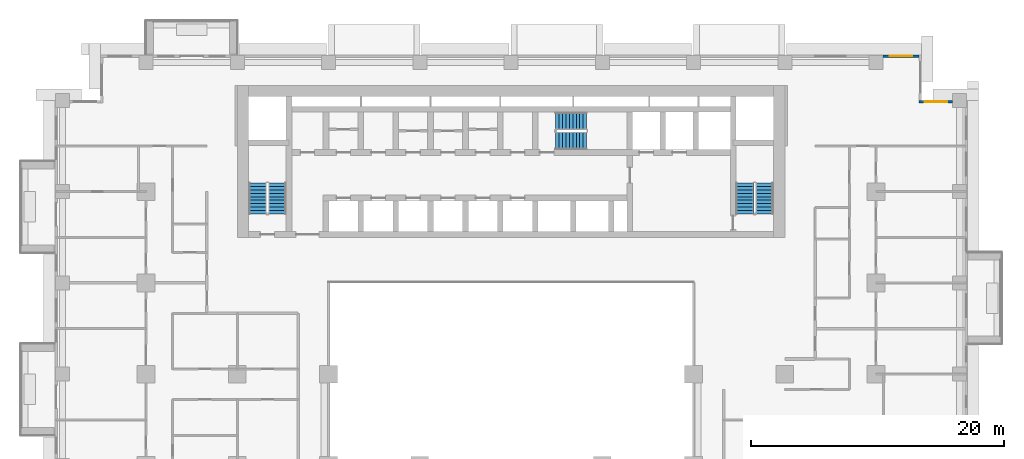
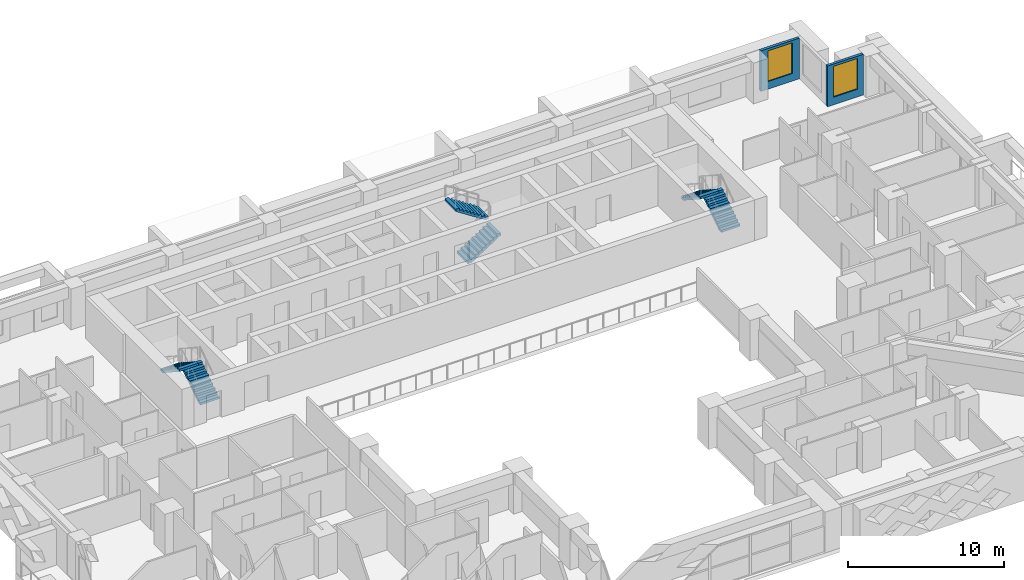
# One storey, part 13 of 17: 6 stair flights, 2 walls, 2 windows, 2 openings, 3 elements without a shape of their own.
"""IFC4 building model written with IfcOpenShell, lengths in metres."""

import ifcopenshell
import ifcopenshell.guid

model = None  # the IFC model being written
_history = None  # IfcOwnerHistory: only IFC2X3 demands one
_inside = {}  # id of a spatial element -> (the spatial element, [elements in it])
_under = {}  # id of a project, library or spatial element -> (it, [spatial elements below it])
_declared = {}  # id of a project -> (the project, [libraries it declares])
_typed = {}  # id of a type object -> (the type object, [elements of that type])
_made_of = {}  # id of a material, layer set ... -> (it, [elements and type objects made of it])


def new_model(schema):
    """Start an empty IFC model of exactly this schema.

    Asked for "IFC4X3", IfcOpenShell would pick the latest addendum, in which some entities
    have other attributes; the version numbers below select the first issue.
    IFC2X3 requires an IfcOwnerHistory on every rooted entity: one is made here for all.
    """
    global model, _history
    if schema == "IFC4X3":
        model = ifcopenshell.file(schema_version=(4, 3, 0, 0))
    else:
        model = ifcopenshell.file(schema=schema)
    _inside.clear()
    _under.clear()
    _declared.clear()
    _typed.clear()
    _made_of.clear()
    _history = None
    if model.schema == "IFC2X3":
        org = make("IfcOrganization", Name="unknown")
        user = make(
            "IfcPersonAndOrganization",
            ThePerson=make("IfcPerson", FamilyName="unknown"),
            TheOrganization=org,
        )
        app = make(
            "IfcApplication",
            ApplicationDeveloper=org,
            Version="unknown",
            ApplicationFullName="unknown",
            ApplicationIdentifier="unknown",
        )
        _history = make(
            "IfcOwnerHistory",
            OwningUser=user,
            OwningApplication=app,
            ChangeAction="ADDED",
            CreationDate=0,
        )
    return model


def make(cls, **values):
    """One entity of the class cls with the attributes given. An attribute that is None is left unset."""
    return model.create_entity(
        cls, **{name: value for name, value in values.items() if value is not None}
    )


def rooted(cls, **values):
    """An entity with a GlobalId (a new one), such as an element, a storey or a relation."""
    return make(cls, GlobalId=ifcopenshell.guid.new(), OwnerHistory=_history, **values)


def si_unit(unit_type, name, prefix=None):
    """IfcSIUnit, for example si_unit("LENGTHUNIT", "METRE", prefix="MILLI")."""
    return make("IfcSIUnit", UnitType=unit_type, Prefix=prefix, Name=name)


def assignment(units):
    """IfcUnitAssignment: the units of a project."""
    return None if units is None else make("IfcUnitAssignment", Units=units)


def point(xyz):
    """IfcCartesianPoint."""
    return None if xyz is None else make("IfcCartesianPoint", Coordinates=xyz)


def direction(xyz):
    """IfcDirection."""
    return None if xyz is None else make("IfcDirection", DirectionRatios=xyz)


def frame(location, z_axis=None, x_axis=None):
    """IfcAxis2Placement3D, a coordinate frame: its origin and axes. An axis left out is left unset."""
    return make(
        "IfcAxis2Placement3D",
        Location=point(location),
        Axis=direction(z_axis),
        RefDirection=direction(x_axis),
    )


def frame_2d(location, x_axis=None):
    """IfcAxis2Placement2D, a coordinate frame in the plane: its origin and x axis."""
    return make(
        "IfcAxis2Placement2D", Location=point(location), RefDirection=direction(x_axis)
    )


def origin():
    """The frame at (0, 0, 0) with its axes left unset."""
    return frame((0.0, 0.0, 0.0))


def place(relative_to, where):
    """IfcLocalPlacement: puts the frame where relative to a parent placement (None: the world)."""
    return make(
        "IfcLocalPlacement", PlacementRelTo=relative_to, RelativePlacement=where
    )


def context(
    kind, dimensions, precision=None, world=None, true_north=None, identifier=None
):
    """IfcGeometricRepresentationContext, for example the 3D "Model" context."""
    return make(
        "IfcGeometricRepresentationContext",
        ContextIdentifier=identifier,
        ContextType=kind,
        CoordinateSpaceDimension=dimensions,
        Precision=precision,
        WorldCoordinateSystem=world,
        TrueNorth=true_north,
    )


def subcontext(parent, identifier, kind, view, scale=None):
    """IfcGeometricRepresentationSubContext, for example "Body" below "Model"."""
    return make(
        "IfcGeometricRepresentationSubContext",
        ContextIdentifier=identifier,
        ContextType=kind,
        ParentContext=parent,
        TargetScale=scale,
        TargetView=view,
    )


def project(units=None, contexts=None):
    """IfcProject with its units and contexts."""
    return rooted(
        "IfcProject",
        Name="project",
        RepresentationContexts=contexts,
        UnitsInContext=assignment(units),
    )


def spatial(cls, under=None, at=None, **own):
    """A site, building, storey or space (cls), placed at a placement, below another one or the project."""
    s = rooted(cls, ObjectPlacement=at, **own)
    if under is not None:
        _under.setdefault(under.id(), (under, []))[1].append(s)
    return s


def polyline(points):
    """IfcPolyline through the points."""
    return make("IfcPolyline", Points=[point(p) for p in points])


def profile(cls, at=None, kind="AREA", **sizes):
    """A parametric profile (cls). Its sizes go by their IFC names, for example OverallWidth=200.0."""
    return make(cls, ProfileType=kind, Position=at, **sizes)


def rectangle(**sizes):
    """IfcRectangleProfileDef."""
    return profile("IfcRectangleProfileDef", **sizes)


def outline(outer, holes=None, kind="AREA"):
    """IfcArbitraryClosedProfileDef: a profile drawn as a closed curve; with holes, ...WithVoids."""
    if holes is None:
        return make("IfcArbitraryClosedProfileDef", ProfileType=kind, OuterCurve=outer)
    return make(
        "IfcArbitraryProfileDefWithVoids",
        ProfileType=kind,
        OuterCurve=outer,
        InnerCurves=holes,
    )


def extrude(swept, where, along, depth):
    """IfcExtrudedAreaSolid: the profile swept, set in the frame where, extruded along a direction by depth."""
    return make(
        "IfcExtrudedAreaSolid",
        SweptArea=swept,
        Position=where,
        ExtrudedDirection=direction(along),
        Depth=depth,
    )


def shape(context_of_items, identifier, shape_type, items):
    """IfcShapeRepresentation: the items that make up one representation, for example the "Body"."""
    return make(
        "IfcShapeRepresentation",
        ContextOfItems=context_of_items,
        RepresentationIdentifier=identifier,
        RepresentationType=shape_type,
        Items=items,
    )


def material(Name=None, Category=None):
    """IfcMaterial."""
    return make("IfcMaterial", Name=Name, Category=Category)


def layer(
    of_material, thickness, ventilated=None, Name=None, Category=None, Priority=None
):
    """IfcMaterialLayer: one layer of a wall or slab, of a material (None: an air gap)."""
    return make(
        "IfcMaterialLayer",
        Material=of_material,
        LayerThickness=thickness,
        IsVentilated=ventilated,
        Name=Name,
        Category=Category,
        Priority=Priority,
    )


def layer_set(layers, Name=None):
    """IfcMaterialLayerSet."""
    return make("IfcMaterialLayerSet", MaterialLayers=layers, LayerSetName=Name)


def made_of(thing, what):
    """Note that an element or type object is made of a material, layer set ...; save() writes the relation."""
    if what is not None:
        _made_of.setdefault(what.id(), (what, []))[1].append(thing)
    return thing


def type_object(cls, material=None, **own):
    """A type object (cls), such as IfcWallType, which elements share."""
    return made_of(rooted(cls, **own), material)


def element(
    cls,
    number,
    at=None,
    inside=None,
    cuts=None,
    type_object=None,
    material=None,
    context=None,
    identifier="Body",
    shape_type=None,
    held_by="IfcProductDefinitionShape",
    body=None,
    shapes=None,
    **own,
):
    """One element of the class cls, such as IfcWall. Its Tag is "e" and its number.

    at: its placement. inside: the storey or other place that contains it. cuts: it is an
    opening in that element (IfcRelVoidsElement). A single representation is given by context,
    identifier, shape_type and body (its items); several are given by shapes. held_by: the class
    of the entity that holds the representations. save() writes the other relations.
    """
    e = rooted(cls, Tag="e%d" % number, ObjectPlacement=at, **own)
    if body is not None:
        shapes = [shape(context, identifier, shape_type, body)]
    if shapes is not None:
        e.Representation = make(held_by, Representations=shapes)
    if inside is not None:
        _inside.setdefault(inside.id(), (inside, []))[1].append(e)
    if cuts is not None:
        rooted(
            "IfcRelVoidsElement", RelatingBuildingElement=cuts, RelatedOpeningElement=e
        )
    if type_object is not None:
        _typed.setdefault(type_object.id(), (type_object, []))[1].append(e)
    return made_of(e, material)


def fill(opening, filler):
    """IfcRelFillsElement: the door or window that sits in an opening."""
    return rooted(
        "IfcRelFillsElement",
        RelatingOpeningElement=opening,
        RelatedBuildingElement=filler,
    )


def aggregate(whole, parts):
    """IfcRelAggregates: a whole, such as a stair, and the parts it consists of."""
    return rooted("IfcRelAggregates", RelatingObject=whole, RelatedObjects=parts)


def save(model, path):
    """Write the relations noted so far, then the file.

    IfcRelAggregates (storeys below a building ...), IfcRelContainedInSpatialStructure (elements
    in a storey), IfcRelDefinesByType, IfcRelAssociatesMaterial and IfcRelDeclares: one each for
    every whole, place, type object, material and project.
    """
    for whole, parts in _under.values():
        aggregate(whole, parts)
    for where, things in _inside.values():
        rooted(
            "IfcRelContainedInSpatialStructure",
            RelatedElements=things,
            RelatingStructure=where,
        )
    for kind, things in _typed.values():
        rooted("IfcRelDefinesByType", RelatedObjects=things, RelatingType=kind)
    for what, things in _made_of.values():
        rooted("IfcRelAssociatesMaterial", RelatedObjects=things, RelatingMaterial=what)
    for by, libraries in _declared.values():
        rooted("IfcRelDeclares", RelatingContext=by, RelatedDefinitions=libraries)
    model.write(path)


model = new_model("IFC4")

# Units and contexts
model_context = context("Model", 3, precision=1e-05, world=origin(), true_north=direction((0.0, 1.0)))
body_context = subcontext(model_context, "Body", "Model", "MODEL_VIEW")
ifc_project = project(units=[si_unit("LENGTHUNIT", "METRE"), si_unit("AREAUNIT", "SQUARE_METRE"), si_unit("VOLUMEUNIT", "CUBIC_METRE"), si_unit("PLANEANGLEUNIT", "RADIAN"), si_unit("MASSUNIT", "GRAM", prefix="KILO")], contexts=[model_context])

# Site, building, storey
site_placement = place(None, origin())
site = spatial("IfcSite", under=ifc_project, at=site_placement, CompositionType="ELEMENT")
building_placement = place(site_placement, origin())
building = spatial("IfcBuilding", under=site, at=building_placement, Name="Saffron Iwan Residences", CompositionType="ELEMENT")
storey_placement = place(building_placement, frame((0.0, 0.0, 34.0)))
storey = spatial("IfcBuildingStorey", under=building, at=storey_placement, Name="L07", CompositionType="ELEMENT", Elevation=34.0)

# Wall, opening, window
ifc_material_1 = material(Name="Concrete C40/50", Category="concrete")
ifc_layer_1 = layer(ifc_material_1, 0.199951171875)
ifc_layer_set_1 = layer_set([ifc_layer_1], Name="Concrete C40/50")
wall_type = type_object("IfcWallType", Name="EXTERNAL WALL 200", PredefinedType="SOLIDWALL", material=ifc_layer_set_1)
wall_1_placement = place(storey_placement, frame((85.25, 76.699951171875, 0.0), z_axis=(0.0, 0.0, 1.0), x_axis=(-1.0, 0.0, 0.0)))
wall_1 = element("IfcWall", 1, at=wall_1_placement, inside=storey, type_object=wall_type, Name="External wall L07 F3.0", PredefinedType="SOLIDWALL", context=body_context, shape_type="SweptSolid", body=[
    extrude(rectangle(XDim=2.64990234375, YDim=0.199951171875, at=frame_2d((1.324951171875, 0.0))), origin(), (0.0, 0.0, 1.0), 3.179931640625),
])
opening_1_placement = place(wall_1_placement, frame((0.425048828125, 0.0, 0.60009765625)))
opening_1 = element("IfcOpeningElement", 2, at=opening_1_placement, cuts=wall_1, Name="Opening W8", PredefinedType="OPENING", context=body_context, shape_type="SweptSolid", body=[
    extrude(rectangle(XDim=1.800048828125, YDim=2.39990234375, at=frame_2d((0.89990234375, 1.199951171875))), frame((0.0, 0.10986328125, 0.0), z_axis=(0.0, -1.0, 0.0), x_axis=(1.0, 0.0, 0.0)), (0.0, 0.0, 1.0), 0.219970703125),
])
ifc_material_2 = material(Name="Clear glass, laminated double glazed", Category="glass")
window_type = type_object("IfcWindowType", Name="WINDOW 1800 x 2400", PartitioningType="DOUBLE_PANEL_VERTICAL", PredefinedType="WINDOW", material=ifc_material_2)
window_1_placement = place(opening_1_placement, origin())
window_1 = element("IfcWindow", 3, at=window_1_placement, inside=storey, type_object=window_type, Name="Window L07 F3.0", OverallHeight=2.39990234375, OverallWidth=1.800048828125, PartitioningType="DOUBLE_PANEL_VERTICAL", PredefinedType="WINDOW", context=body_context, shape_type="SweptSolid", body=[
    extrude(rectangle(XDim=1.800048828125, YDim=2.39990234375, at=frame_2d((0.89990234375, 1.199951171875))), frame((0.0, 0.030029296875, 0.0), z_axis=(0.0, -1.0, 0.0), x_axis=(1.0, 0.0, 0.0)), (0.0, 0.0, 1.0), 0.06005859375),
])
fill(opening_1, window_1)

wall_2_placement = place(storey_placement, frame((82.60009765625, 80.300048828125, 0.0), z_axis=(0.0, 0.0, 1.0), x_axis=(-1.0, 0.0, 0.0)))
wall_2 = element("IfcWall", 4, at=wall_2_placement, inside=storey, type_object=wall_type, Name="External wall L07 F5.0", PredefinedType="SOLIDWALL", context=body_context, shape_type="SweptSolid", body=[
    extrude(rectangle(XDim=2.85009765625, YDim=0.199951171875, at=frame_2d((1.425048828125, 0.0))), origin(), (0.0, 0.0, 1.0), 3.179931640625),
])
opening_2_placement = place(wall_2_placement, frame((0.52490234375, 0.0, 0.60009765625)))
opening_2 = element("IfcOpeningElement", 5, at=opening_2_placement, cuts=wall_2, Name="Opening W8", PredefinedType="OPENING", context=body_context, shape_type="SweptSolid", body=[
    extrude(rectangle(XDim=1.800048828125, YDim=2.39990234375, at=frame_2d((0.89990234375, 1.199951171875))), frame((0.0, 0.10986328125, 0.0), z_axis=(0.0, -1.0, 0.0), x_axis=(1.0, 0.0, 0.0)), (0.0, 0.0, 1.0), 0.219970703125),
])
window_2_placement = place(opening_2_placement, origin())
window_2 = element("IfcWindow", 6, at=window_2_placement, inside=storey, type_object=window_type, Name="Window L07 F5.0", OverallHeight=2.39990234375, OverallWidth=1.800048828125, PartitioningType="DOUBLE_PANEL_VERTICAL", PredefinedType="WINDOW", context=body_context, shape_type="SweptSolid", body=[
    extrude(rectangle(XDim=1.800048828125, YDim=2.39990234375, at=frame_2d((0.89990234375, 1.199951171875))), frame((0.0, 0.030029296875, 0.0), z_axis=(0.0, -1.0, 0.0), x_axis=(1.0, 0.0, 0.0)), (0.0, 0.0, 1.0), 0.06005859375),
])
fill(opening_2, window_2)

# Stair, stair flights
ifc_material_3 = material(Name="Concrete C50/60", Category="concrete")
stair_type = type_object("IfcStairType", Name="Stair ST-CORE", PredefinedType="HALF_TURN_STAIR", material=ifc_material_3)
stair_1_placement = place(storey_placement, origin())
stair_1 = element("IfcStair", 7, at=stair_1_placement, inside=storey, type_object=stair_type, Name="L07 Exit Stair ST-W", PredefinedType="HALF_TURN_STAIR")
ifc_layer_2 = layer(ifc_material_3, 0.14990234375)
ifc_layer_set_2 = layer_set([ifc_layer_2], Name="Concrete C50/60")
stair_flight_type = type_object("IfcStairFlightType", Name="Stair flight SFL-RC", PredefinedType="STRAIGHT", material=ifc_layer_set_2)
stair_flight_1_placement = place(storey_placement, frame((31.949951171875, 67.85009765625, 0.0), z_axis=(0.0, 0.0, 1.0), x_axis=(0.0, 1.0, 0.0)))
stair_flight_1 = element("IfcStairFlight", 8, at=stair_flight_1_placement, type_object=stair_flight_type, Name="ST-W flight 1", NumberOfRisers=10, NumberOfTreads=9, PredefinedType="STRAIGHT", RiserHeight=0.175, TreadLength=0.27, context=body_context, shape_type="SweptSolid", body=[
    extrude(outline(polyline([(0.0, 0.0), (0.0, 0.175048828125), (0.27001953125, 0.175048828125), (0.27001953125, 0.35009765625), (0.5400390625, 0.35009765625), (0.5400390625, 0.52490234375), (0.81005859375, 0.52490234375), (0.81005859375, 0.699951171875), (1.080078125, 0.699951171875), (1.080078125, 0.875), (1.35009765625, 0.875), (1.35009765625, 1.050048828125), (1.6201171875, 1.050048828125), (1.6201171875, 1.22509765625), (1.889892578125, 1.22509765625), (1.889892578125, 1.39990234375), (2.159912109375, 1.39990234375), (2.159912109375, 1.574951171875), (2.429931640625, 1.574951171875), (2.429931640625, 1.75), (2.429931640625, 1.396484375), (0.275634765625, 0.0), (0.0, 0.0)])), frame((0.0, 0.699951171875, 0.0), z_axis=(0.0, -1.0, 0.0), x_axis=(1.0, 0.0, 0.0)), (0.0, 0.0, 1.0), 1.39990234375),
])
stair_flight_2_placement = place(storey_placement, frame((30.39990234375, 70.280029296875, 1.75), z_axis=(0.0, 0.0, 1.0), x_axis=(0.0, -1.0, 0.0)))
stair_flight_2 = element("IfcStairFlight", 9, at=stair_flight_2_placement, type_object=stair_flight_type, Name="ST-W flight 2", NumberOfRisers=10, NumberOfTreads=9, PredefinedType="STRAIGHT", RiserHeight=0.175, TreadLength=0.27, context=body_context, shape_type="SweptSolid", body=[
    extrude(outline(polyline([(0.0, 0.0), (0.0, 0.175048828125), (0.27001953125, 0.175048828125), (0.27001953125, 0.35009765625), (0.5400390625, 0.35009765625), (0.5400390625, 0.52490234375), (0.81005859375, 0.52490234375), (0.81005859375, 0.699951171875), (1.080078125, 0.699951171875), (1.080078125, 0.875), (1.35009765625, 0.875), (1.35009765625, 1.050048828125), (1.6201171875, 1.050048828125), (1.6201171875, 1.22509765625), (1.889892578125, 1.22509765625), (1.889892578125, 1.39990234375), (2.159912109375, 1.39990234375), (2.159912109375, 1.574951171875), (2.429931640625, 1.574951171875), (2.429931640625, 1.75), (2.429931640625, 1.396484375), (0.275634765625, 0.0), (0.0, 0.0)])), frame((0.0, 0.699951171875, 0.0), z_axis=(0.0, -1.0, 0.0), x_axis=(1.0, 0.0, 0.0)), (0.0, 0.0, 1.0), 1.39990234375),
])
aggregate(stair_1, [stair_flight_1, stair_flight_2])

stair_2_placement = place(storey_placement, origin())
stair_2 = element("IfcStair", 10, at=stair_2_placement, inside=storey, type_object=stair_type, Name="L07 Exit Stair ST-C", PredefinedType="HALF_TURN_STAIR")
stair_flight_3_placement = place(storey_placement, frame((53.925048828125, 73.625, 0.0), z_axis=(0.0, 0.0, 1.0), x_axis=(1.0, 0.0, 0.0)))
stair_flight_3 = element("IfcStairFlight", 11, at=stair_flight_3_placement, type_object=stair_flight_type, Name="ST-C flight 1", NumberOfRisers=10, NumberOfTreads=9, PredefinedType="STRAIGHT", RiserHeight=0.175, TreadLength=0.27, context=body_context, shape_type="SweptSolid", body=[
    extrude(outline(polyline([(0.0, 0.0), (0.0, 0.175048828125), (0.27001953125, 0.175048828125), (0.27001953125, 0.35009765625), (0.5400390625, 0.35009765625), (0.5400390625, 0.52490234375), (0.81005859375, 0.52490234375), (0.81005859375, 0.699951171875), (1.080078125, 0.699951171875), (1.080078125, 0.875), (1.35009765625, 0.875), (1.35009765625, 1.050048828125), (1.6201171875, 1.050048828125), (1.6201171875, 1.22509765625), (1.889892578125, 1.22509765625), (1.889892578125, 1.39990234375), (2.159912109375, 1.39990234375), (2.159912109375, 1.574951171875), (2.429931640625, 1.574951171875), (2.429931640625, 1.75), (2.429931640625, 1.396484375), (0.275634765625, 0.0), (0.0, 0.0)])), frame((0.0, 0.699951171875, 0.0), z_axis=(0.0, -1.0, 0.0), x_axis=(1.0, 0.0, 0.0)), (0.0, 0.0, 1.0), 1.39990234375),
])
stair_flight_4_placement = place(storey_placement, frame((56.35498046875, 75.175048828125, 1.75), z_axis=(0.0, 0.0, 1.0), x_axis=(-1.0, 0.0, 0.0)))
stair_flight_4 = element("IfcStairFlight", 12, at=stair_flight_4_placement, type_object=stair_flight_type, Name="ST-C flight 2", NumberOfRisers=10, NumberOfTreads=9, PredefinedType="STRAIGHT", RiserHeight=0.175, TreadLength=0.27, context=body_context, shape_type="SweptSolid", body=[
    extrude(outline(polyline([(0.0, 0.0), (0.0, 0.175048828125), (0.27001953125, 0.175048828125), (0.27001953125, 0.35009765625), (0.5400390625, 0.35009765625), (0.5400390625, 0.52490234375), (0.81005859375, 0.52490234375), (0.81005859375, 0.699951171875), (1.080078125, 0.699951171875), (1.080078125, 0.875), (1.35009765625, 0.875), (1.35009765625, 1.050048828125), (1.6201171875, 1.050048828125), (1.6201171875, 1.22509765625), (1.889892578125, 1.22509765625), (1.889892578125, 1.39990234375), (2.159912109375, 1.39990234375), (2.159912109375, 1.574951171875), (2.429931640625, 1.574951171875), (2.429931640625, 1.75), (2.429931640625, 1.396484375), (0.275634765625, 0.0), (0.0, 0.0)])), frame((0.0, 0.699951171875, 0.0), z_axis=(0.0, -1.0, 0.0), x_axis=(1.0, 0.0, 0.0)), (0.0, 0.0, 1.0), 1.39990234375),
])
aggregate(stair_2, [stair_flight_3, stair_flight_4])

stair_3_placement = place(storey_placement, origin())
stair_3 = element("IfcStair", 13, at=stair_3_placement, inside=storey, type_object=stair_type, Name="L07 Exit Stair ST-E", PredefinedType="HALF_TURN_STAIR")
stair_flight_5_placement = place(storey_placement, frame((70.39990234375, 67.85009765625, 0.0), z_axis=(0.0, 0.0, 1.0), x_axis=(0.0, 1.0, 0.0)))
stair_flight_5 = element("IfcStairFlight", 14, at=stair_flight_5_placement, type_object=stair_flight_type, Name="ST-E flight 1", NumberOfRisers=10, NumberOfTreads=9, PredefinedType="STRAIGHT", RiserHeight=0.175, TreadLength=0.27, context=body_context, shape_type="SweptSolid", body=[
    extrude(outline(polyline([(0.0, 0.0), (0.0, 0.175048828125), (0.27001953125, 0.175048828125), (0.27001953125, 0.35009765625), (0.5400390625, 0.35009765625), (0.5400390625, 0.52490234375), (0.81005859375, 0.52490234375), (0.81005859375, 0.699951171875), (1.080078125, 0.699951171875), (1.080078125, 0.875), (1.35009765625, 0.875), (1.35009765625, 1.050048828125), (1.6201171875, 1.050048828125), (1.6201171875, 1.22509765625), (1.889892578125, 1.22509765625), (1.889892578125, 1.39990234375), (2.159912109375, 1.39990234375), (2.159912109375, 1.574951171875), (2.429931640625, 1.574951171875), (2.429931640625, 1.75), (2.429931640625, 1.396484375), (0.275634765625, 0.0), (0.0, 0.0)])), frame((0.0, 0.699951171875, 0.0), z_axis=(0.0, -1.0, 0.0), x_axis=(1.0, 0.0, 0.0)), (0.0, 0.0, 1.0), 1.39990234375),
])
stair_flight_6_placement = place(storey_placement, frame((68.85009765625, 70.280029296875, 1.75), z_axis=(0.0, 0.0, 1.0), x_axis=(0.0, -1.0, 0.0)))
stair_flight_6 = element("IfcStairFlight", 15, at=stair_flight_6_placement, type_object=stair_flight_type, Name="ST-E flight 2", NumberOfRisers=10, NumberOfTreads=9, PredefinedType="STRAIGHT", RiserHeight=0.175, TreadLength=0.27, context=body_context, shape_type="SweptSolid", body=[
    extrude(outline(polyline([(0.0, 0.0), (0.0, 0.175048828125), (0.27001953125, 0.175048828125), (0.27001953125, 0.35009765625), (0.5400390625, 0.35009765625), (0.5400390625, 0.52490234375), (0.81005859375, 0.52490234375), (0.81005859375, 0.699951171875), (1.080078125, 0.699951171875), (1.080078125, 0.875), (1.35009765625, 0.875), (1.35009765625, 1.050048828125), (1.6201171875, 1.050048828125), (1.6201171875, 1.22509765625), (1.889892578125, 1.22509765625), (1.889892578125, 1.39990234375), (2.159912109375, 1.39990234375), (2.159912109375, 1.574951171875), (2.429931640625, 1.574951171875), (2.429931640625, 1.75), (2.429931640625, 1.396484375), (0.275634765625, 0.0), (0.0, 0.0)])), frame((0.0, 0.699951171875, 0.0), z_axis=(0.0, -1.0, 0.0), x_axis=(1.0, 0.0, 0.0)), (0.0, 0.0, 1.0), 1.39990234375),
])
aggregate(stair_3, [stair_flight_5, stair_flight_6])

save(model, "model.ifc")
